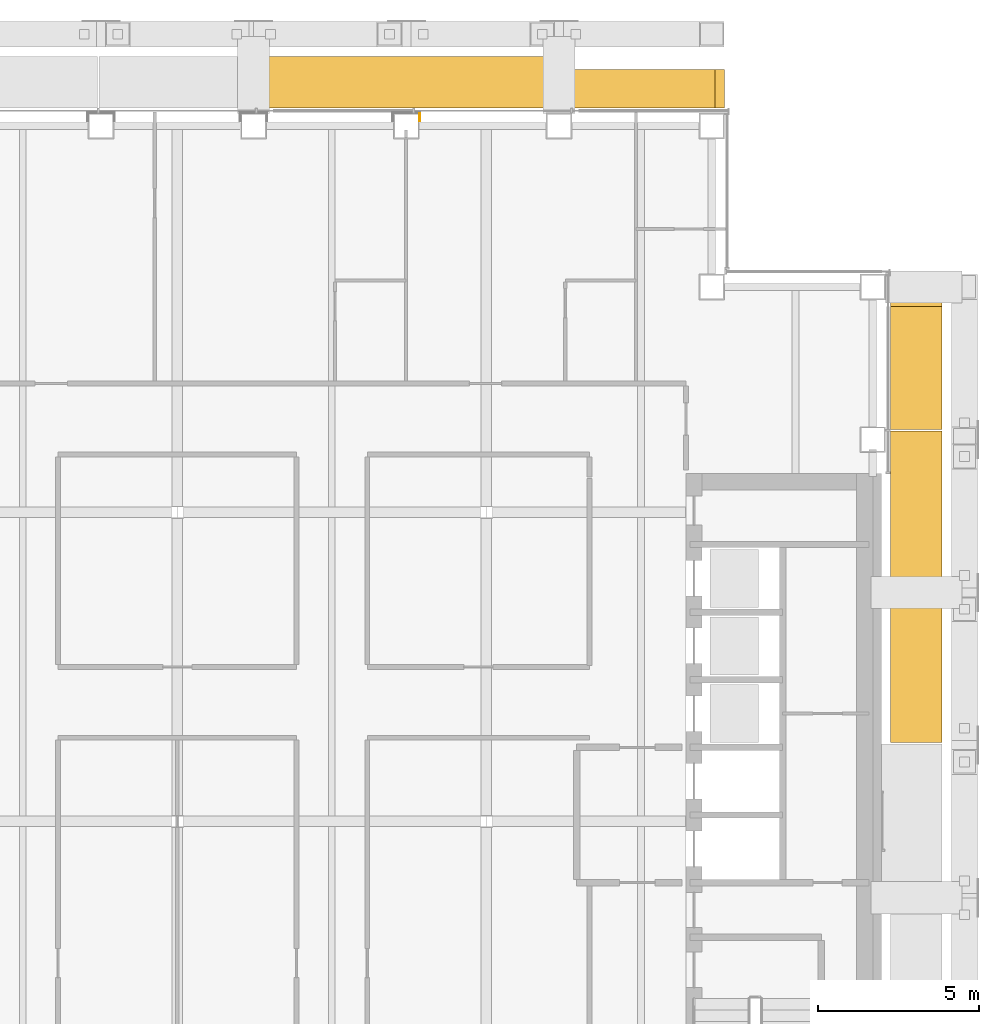
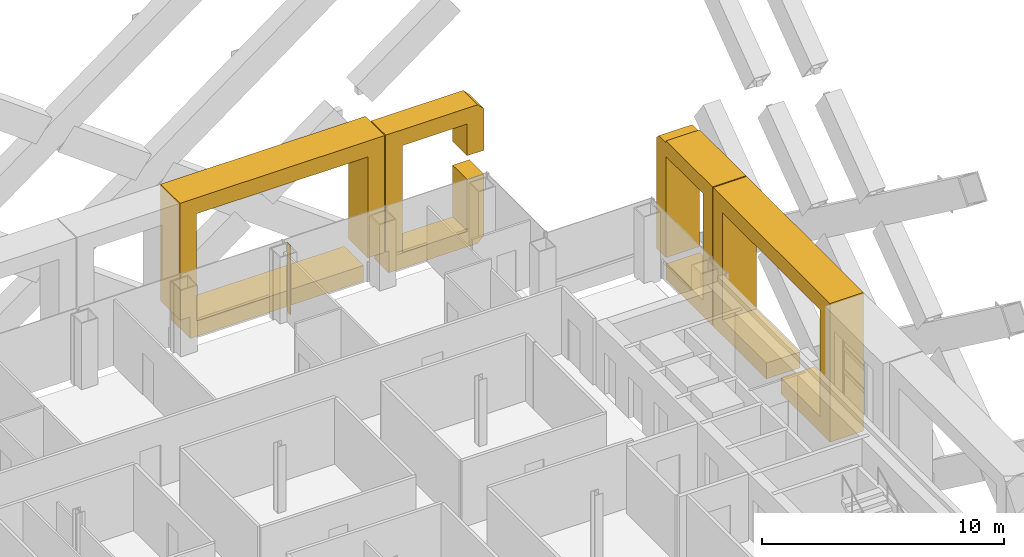
# One storey, part 24 of 25: 5 coverings.
"""IFC4 building model written with IfcOpenShell, lengths in metres."""

from ifc_helpers import new_model, si_unit, direction, frame, origin, origin_2d, place, context, subcontext, project, spatial, polyline, rectangle, outline, extrude, material, layer, layer_set, type_object, element, save


model = new_model("IFC4")

# Units and contexts
model_context = context("Model", 3, precision=1e-05, world=origin(), true_north=direction((0.0, 1.0)))
body_context = subcontext(model_context, "Body", "Model", "MODEL_VIEW")
ifc_project = project(units=[si_unit("LENGTHUNIT", "METRE"), si_unit("AREAUNIT", "SQUARE_METRE"), si_unit("VOLUMEUNIT", "CUBIC_METRE"), si_unit("PLANEANGLEUNIT", "RADIAN"), si_unit("MASSUNIT", "GRAM", prefix="KILO")], contexts=[model_context])

# Site, building, storey
site_placement = place(None, origin())
site = spatial("IfcSite", under=ifc_project, at=site_placement, CompositionType="ELEMENT")
building_placement = place(site_placement, origin())
building = spatial("IfcBuilding", under=site, at=building_placement, Name="Cobrizo Arcos Hotel Tower", CompositionType="ELEMENT")
storey_placement = place(building_placement, frame((0.0, 0.0, 148.0)))
storey = spatial("IfcBuildingStorey", under=building, at=storey_placement, Name="L37", CompositionType="ELEMENT", Elevation=148.0)

# Coverings
ifc_material_1 = material(Name="Aluminium 6063-T6 anodised bronze", Category="aluminium")
covering_type_1 = type_object("IfcCoveringType", Name="FIN-F 1200", PredefinedType="CLADDING", material=ifc_material_1)
covering_1_placement = place(storey_placement, frame((17.0, 22.14990234375, 0.0), z_axis=(0.0, 1.0, 0.0), x_axis=(-1.0, 0.0, 0.0)))
element("IfcCovering", 1, at=covering_1_placement, inside=storey, type_object=covering_type_1, Name="Fin frame 171", PredefinedType="CLADDING", context=body_context, shape_type="SweptSolid", body=[
    extrude(outline(polyline([(0.300048828125, 0.0), (4.541015625, 0.0), (4.541015625, 1.10205078125), (4.689208984375, 1.10205078125), (4.689208984375, 7.0), (0.300048828125, 7.0), (0.0, 6.699951171875), (0.0, 4.60205078125), (0.800048828125, 4.60205078125), (0.800048828125, 6.199951171875), (3.889404296875, 6.199951171875), (3.889404296875, 0.800048828125), (0.800048828125, 0.800048828125), (0.800048828125, 3.39794921875), (0.0, 3.39794921875), (0.0, 0.300048828125), (0.300048828125, 0.0)])), origin(), (0.0, 0.0, 1.0), 1.2001953125),
])
covering_type_2 = type_object("IfcCoveringType", Name="FIN-F 1600", PredefinedType="CLADDING", material=ifc_material_1)
covering_2_placement = place(storey_placement, frame((12.2607421875, 22.14990234375, 0.0), z_axis=(0.0, 1.0, 0.0), x_axis=(-1.0, 0.0, 0.0)))
element("IfcCovering", 2, at=covering_2_placement, inside=storey, type_object=covering_type_2, Name="Fin frame 172", PredefinedType="CLADDING", context=body_context, shape_type="SweptSolid", body=[
    extrude(outline(polyline([(1.005615234375, 0.0), (9.287353515625, 0.0), (9.287353515625, 1.10205078125), (9.778564453125, 1.10205078125), (9.778564453125, 7.0), (0.0, 7.0), (0.0, 1.10205078125), (0.800048828125, 1.10205078125), (0.800048828125, 6.199951171875), (8.978515625, 6.199951171875), (8.978515625, 0.800048828125), (1.005615234375, 0.800048828125), (1.005615234375, 0.0)])), origin(), (0.0, 0.0, 1.0), 1.60009765625),
])
covering_3_placement = place(storey_placement, frame((22.14990234375, 2.45361328125, 0.0), z_axis=(1.0, 0.0, 0.0), x_axis=(0.0, 1.0, 0.0)))
element("IfcCovering", 3, at=covering_3_placement, inside=storey, type_object=covering_type_2, Name="Fin frame 204", PredefinedType="CLADDING", context=body_context, shape_type="SweptSolid", body=[
    extrude(outline(polyline([(0.0, 0.0), (4.05859375, 0.0), (4.05859375, 0.800048828125), (0.800048828125, 0.800048828125), (0.800048828125, 6.199951171875), (8.8642578125, 6.199951171875), (8.8642578125, 0.800048828125), (5.2626953125, 0.800048828125), (5.2626953125, 0.0), (9.664306640625, 0.0), (9.664306640625, 7.0), (0.0, 7.0), (0.0, 0.0)])), origin(), (0.0, 0.0, 1.0), 1.60009765625),
])
covering_4_placement = place(storey_placement, frame((22.14990234375, 12.16796875, 0.0), z_axis=(1.0, 0.0, 0.0), x_axis=(0.0, 1.0, 0.0)))
element("IfcCovering", 4, at=covering_4_placement, inside=storey, type_object=covering_type_2, Name="Fin frame 205", PredefinedType="CLADDING", context=body_context, shape_type="SweptSolid", body=[
    extrude(outline(polyline([(0.0, 0.0), (3.830078125, 0.0), (3.830078125, 0.800048828125), (0.800048828125, 0.800048828125), (0.800048828125, 6.199951171875), (3.83203125, 6.199951171875), (3.83203125, 1.10205078125), (4.632080078125, 1.10205078125), (4.632080078125, 6.699951171875), (4.43408203125, 6.89794921875), (3.830078125, 6.89794921875), (3.830078125, 7.0), (0.0, 7.0), (0.0, 0.0)])), origin(), (0.0, 0.0, 1.0), 1.60009765625),
])
ifc_material_2 = material(Name="Aluminium 6063-T6 anodised pale", Category="aluminium")
ifc_layer = layer(ifc_material_2, 0.030029296875)
ifc_layer_set = layer_set([ifc_layer], Name="PC-1 column casing pale metal 30")
covering_type_3 = type_object("IfcCoveringType", Name="PC-1 column casing pale metal 30", PredefinedType="CLADDING", material=ifc_layer_set)
covering_5_placement = place(storey_placement, frame((7.529052734375, 21.875, -0.14990234375), z_axis=(0.0, 0.0, 1.0), x_axis=(1.0, 0.0, 0.0)))
element("IfcCovering", 5, at=covering_5_placement, inside=storey, type_object=covering_type_3, Name="Pool hall column casing 24", PredefinedType="CLADDING", context=body_context, shape_type="SweptSolid", body=[
    extrude(rectangle(XDim=0.030029296875, YDim=0.25, at=origin_2d()), origin(), (0.0, 0.0, 1.0), 3.5),
])

save(model, "model.ifc")
